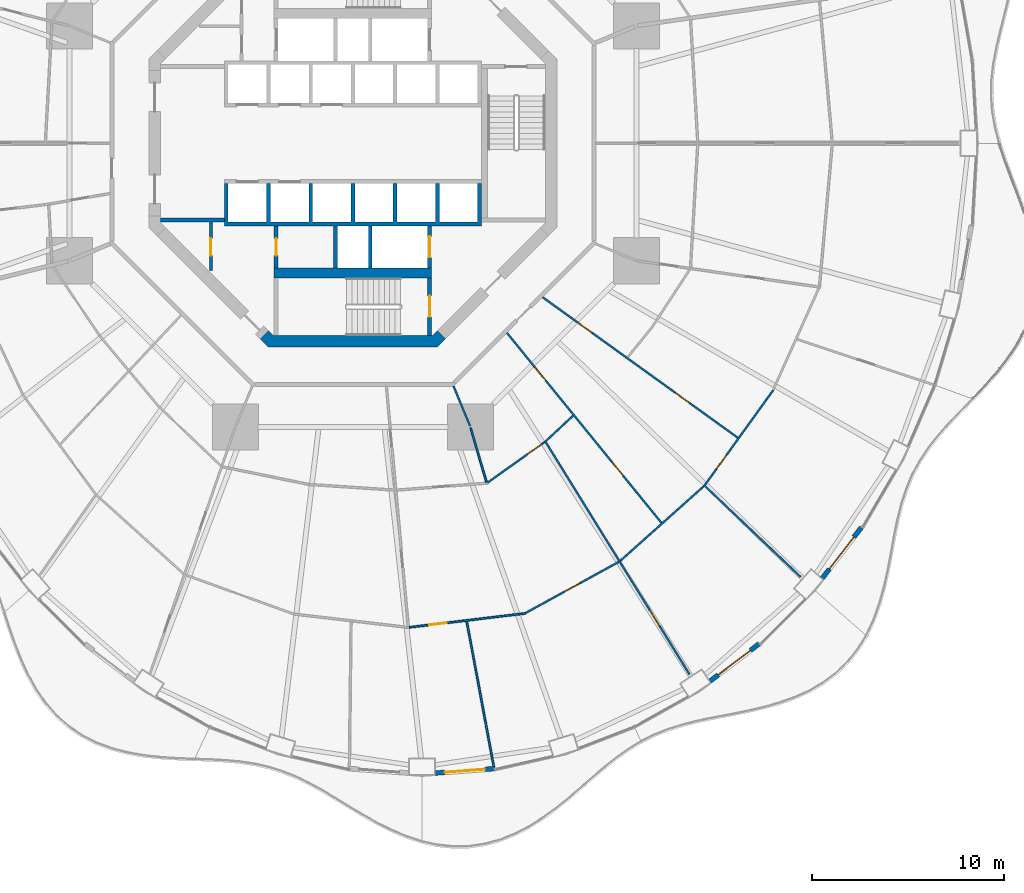
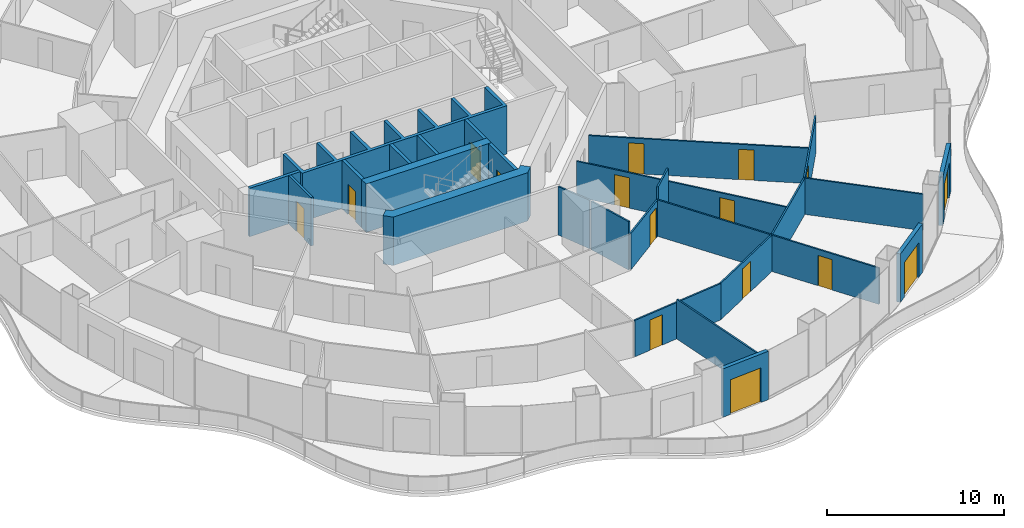
# One storey, part 15 of 22: 26 walls, 16 doors, 16 openings.
"""IFC4 building model written with IfcOpenShell, lengths in metres."""

import ifcopenshell
import ifcopenshell.guid

model = None  # the IFC model being written
_history = None  # IfcOwnerHistory: only IFC2X3 demands one
_inside = {}  # id of a spatial element -> (the spatial element, [elements in it])
_under = {}  # id of a project, library or spatial element -> (it, [spatial elements below it])
_declared = {}  # id of a project -> (the project, [libraries it declares])
_typed = {}  # id of a type object -> (the type object, [elements of that type])
_made_of = {}  # id of a material, layer set ... -> (it, [elements and type objects made of it])


def new_model(schema):
    """Start an empty IFC model of exactly this schema.

    Asked for "IFC4X3", IfcOpenShell would pick the latest addendum, in which some entities
    have other attributes; the version numbers below select the first issue.
    IFC2X3 requires an IfcOwnerHistory on every rooted entity: one is made here for all.
    """
    global model, _history
    if schema == "IFC4X3":
        model = ifcopenshell.file(schema_version=(4, 3, 0, 0))
    else:
        model = ifcopenshell.file(schema=schema)
    _inside.clear()
    _under.clear()
    _declared.clear()
    _typed.clear()
    _made_of.clear()
    _history = None
    if model.schema == "IFC2X3":
        org = make("IfcOrganization", Name="unknown")
        user = make(
            "IfcPersonAndOrganization",
            ThePerson=make("IfcPerson", FamilyName="unknown"),
            TheOrganization=org,
        )
        app = make(
            "IfcApplication",
            ApplicationDeveloper=org,
            Version="unknown",
            ApplicationFullName="unknown",
            ApplicationIdentifier="unknown",
        )
        _history = make(
            "IfcOwnerHistory",
            OwningUser=user,
            OwningApplication=app,
            ChangeAction="ADDED",
            CreationDate=0,
        )
    return model


def make(cls, **values):
    """One entity of the class cls with the attributes given. An attribute that is None is left unset."""
    return model.create_entity(
        cls, **{name: value for name, value in values.items() if value is not None}
    )


def rooted(cls, **values):
    """An entity with a GlobalId (a new one), such as an element, a storey or a relation."""
    return make(cls, GlobalId=ifcopenshell.guid.new(), OwnerHistory=_history, **values)


def si_unit(unit_type, name, prefix=None):
    """IfcSIUnit, for example si_unit("LENGTHUNIT", "METRE", prefix="MILLI")."""
    return make("IfcSIUnit", UnitType=unit_type, Prefix=prefix, Name=name)


def assignment(units):
    """IfcUnitAssignment: the units of a project."""
    return None if units is None else make("IfcUnitAssignment", Units=units)


def point(xyz):
    """IfcCartesianPoint."""
    return None if xyz is None else make("IfcCartesianPoint", Coordinates=xyz)


def direction(xyz):
    """IfcDirection."""
    return None if xyz is None else make("IfcDirection", DirectionRatios=xyz)


def frame(location, z_axis=None, x_axis=None):
    """IfcAxis2Placement3D, a coordinate frame: its origin and axes. An axis left out is left unset."""
    return make(
        "IfcAxis2Placement3D",
        Location=point(location),
        Axis=direction(z_axis),
        RefDirection=direction(x_axis),
    )


def frame_2d(location, x_axis=None):
    """IfcAxis2Placement2D, a coordinate frame in the plane: its origin and x axis."""
    return make(
        "IfcAxis2Placement2D", Location=point(location), RefDirection=direction(x_axis)
    )


def origin():
    """The frame at (0, 0, 0) with its axes left unset."""
    return frame((0.0, 0.0, 0.0))


def place(relative_to, where):
    """IfcLocalPlacement: puts the frame where relative to a parent placement (None: the world)."""
    return make(
        "IfcLocalPlacement", PlacementRelTo=relative_to, RelativePlacement=where
    )


def context(
    kind, dimensions, precision=None, world=None, true_north=None, identifier=None
):
    """IfcGeometricRepresentationContext, for example the 3D "Model" context."""
    return make(
        "IfcGeometricRepresentationContext",
        ContextIdentifier=identifier,
        ContextType=kind,
        CoordinateSpaceDimension=dimensions,
        Precision=precision,
        WorldCoordinateSystem=world,
        TrueNorth=true_north,
    )


def subcontext(parent, identifier, kind, view, scale=None):
    """IfcGeometricRepresentationSubContext, for example "Body" below "Model"."""
    return make(
        "IfcGeometricRepresentationSubContext",
        ContextIdentifier=identifier,
        ContextType=kind,
        ParentContext=parent,
        TargetScale=scale,
        TargetView=view,
    )


def project(units=None, contexts=None):
    """IfcProject with its units and contexts."""
    return rooted(
        "IfcProject",
        Name="project",
        RepresentationContexts=contexts,
        UnitsInContext=assignment(units),
    )


def spatial(cls, under=None, at=None, **own):
    """A site, building, storey or space (cls), placed at a placement, below another one or the project."""
    s = rooted(cls, ObjectPlacement=at, **own)
    if under is not None:
        _under.setdefault(under.id(), (under, []))[1].append(s)
    return s


def polyline(points):
    """IfcPolyline through the points."""
    return make("IfcPolyline", Points=[point(p) for p in points])


def profile(cls, at=None, kind="AREA", **sizes):
    """A parametric profile (cls). Its sizes go by their IFC names, for example OverallWidth=200.0."""
    return make(cls, ProfileType=kind, Position=at, **sizes)


def rectangle(**sizes):
    """IfcRectangleProfileDef."""
    return profile("IfcRectangleProfileDef", **sizes)


def outline(outer, holes=None, kind="AREA"):
    """IfcArbitraryClosedProfileDef: a profile drawn as a closed curve; with holes, ...WithVoids."""
    if holes is None:
        return make("IfcArbitraryClosedProfileDef", ProfileType=kind, OuterCurve=outer)
    return make(
        "IfcArbitraryProfileDefWithVoids",
        ProfileType=kind,
        OuterCurve=outer,
        InnerCurves=holes,
    )


def extrude(swept, where, along, depth):
    """IfcExtrudedAreaSolid: the profile swept, set in the frame where, extruded along a direction by depth."""
    return make(
        "IfcExtrudedAreaSolid",
        SweptArea=swept,
        Position=where,
        ExtrudedDirection=direction(along),
        Depth=depth,
    )


def shape(context_of_items, identifier, shape_type, items):
    """IfcShapeRepresentation: the items that make up one representation, for example the "Body"."""
    return make(
        "IfcShapeRepresentation",
        ContextOfItems=context_of_items,
        RepresentationIdentifier=identifier,
        RepresentationType=shape_type,
        Items=items,
    )


def material(Name=None, Category=None):
    """IfcMaterial."""
    return make("IfcMaterial", Name=Name, Category=Category)


def layer(
    of_material, thickness, ventilated=None, Name=None, Category=None, Priority=None
):
    """IfcMaterialLayer: one layer of a wall or slab, of a material (None: an air gap)."""
    return make(
        "IfcMaterialLayer",
        Material=of_material,
        LayerThickness=thickness,
        IsVentilated=ventilated,
        Name=Name,
        Category=Category,
        Priority=Priority,
    )


def layer_set(layers, Name=None):
    """IfcMaterialLayerSet."""
    return make("IfcMaterialLayerSet", MaterialLayers=layers, LayerSetName=Name)


def made_of(thing, what):
    """Note that an element or type object is made of a material, layer set ...; save() writes the relation."""
    if what is not None:
        _made_of.setdefault(what.id(), (what, []))[1].append(thing)
    return thing


def type_object(cls, material=None, **own):
    """A type object (cls), such as IfcWallType, which elements share."""
    return made_of(rooted(cls, **own), material)


def element(
    cls,
    number,
    at=None,
    inside=None,
    cuts=None,
    type_object=None,
    material=None,
    context=None,
    identifier="Body",
    shape_type=None,
    held_by="IfcProductDefinitionShape",
    body=None,
    shapes=None,
    **own,
):
    """One element of the class cls, such as IfcWall. Its Tag is "e" and its number.

    at: its placement. inside: the storey or other place that contains it. cuts: it is an
    opening in that element (IfcRelVoidsElement). A single representation is given by context,
    identifier, shape_type and body (its items); several are given by shapes. held_by: the class
    of the entity that holds the representations. save() writes the other relations.
    """
    e = rooted(cls, Tag="e%d" % number, ObjectPlacement=at, **own)
    if body is not None:
        shapes = [shape(context, identifier, shape_type, body)]
    if shapes is not None:
        e.Representation = make(held_by, Representations=shapes)
    if inside is not None:
        _inside.setdefault(inside.id(), (inside, []))[1].append(e)
    if cuts is not None:
        rooted(
            "IfcRelVoidsElement", RelatingBuildingElement=cuts, RelatedOpeningElement=e
        )
    if type_object is not None:
        _typed.setdefault(type_object.id(), (type_object, []))[1].append(e)
    return made_of(e, material)


def fill(opening, filler):
    """IfcRelFillsElement: the door or window that sits in an opening."""
    return rooted(
        "IfcRelFillsElement",
        RelatingOpeningElement=opening,
        RelatedBuildingElement=filler,
    )


def aggregate(whole, parts):
    """IfcRelAggregates: a whole, such as a stair, and the parts it consists of."""
    return rooted("IfcRelAggregates", RelatingObject=whole, RelatedObjects=parts)


def save(model, path):
    """Write the relations noted so far, then the file.

    IfcRelAggregates (storeys below a building ...), IfcRelContainedInSpatialStructure (elements
    in a storey), IfcRelDefinesByType, IfcRelAssociatesMaterial and IfcRelDeclares: one each for
    every whole, place, type object, material and project.
    """
    for whole, parts in _under.values():
        aggregate(whole, parts)
    for where, things in _inside.values():
        rooted(
            "IfcRelContainedInSpatialStructure",
            RelatedElements=things,
            RelatingStructure=where,
        )
    for kind, things in _typed.values():
        rooted("IfcRelDefinesByType", RelatedObjects=things, RelatingType=kind)
    for what, things in _made_of.values():
        rooted("IfcRelAssociatesMaterial", RelatedObjects=things, RelatingMaterial=what)
    for by, libraries in _declared.values():
        rooted("IfcRelDeclares", RelatingContext=by, RelatedDefinitions=libraries)
    model.write(path)


model = new_model("IFC4")

# Units and contexts
model_context = context("Model", 3, precision=1e-05, world=origin(), true_north=direction((0.0, 1.0)))
body_context = subcontext(model_context, "Body", "Model", "MODEL_VIEW")
ifc_project = project(units=[si_unit("LENGTHUNIT", "METRE"), si_unit("AREAUNIT", "SQUARE_METRE"), si_unit("VOLUMEUNIT", "CUBIC_METRE"), si_unit("PLANEANGLEUNIT", "RADIAN"), si_unit("MASSUNIT", "GRAM", prefix="KILO")], contexts=[model_context])

# Site, building, storey
site_placement = place(None, origin())
site = spatial("IfcSite", under=ifc_project, at=site_placement, CompositionType="ELEMENT")
building_placement = place(site_placement, origin())
building = spatial("IfcBuilding", under=site, at=building_placement, Name="Nagisa Residences", CompositionType="ELEMENT")
storey_placement = place(building_placement, frame((0.0, 0.0, 64.0)))
storey = spatial("IfcBuildingStorey", under=building, at=storey_placement, Name="L15", CompositionType="ELEMENT", Elevation=64.0)

# Wall, opening, door
ifc_material_1 = material(Name="Gypsum board on steel studs", Category="steel")
ifc_layer_1 = layer(ifc_material_1, 0.10009765625)
ifc_layer_set_1 = layer_set([ifc_layer_1], Name="Apartment partition 100")
wall_type_1 = type_object("IfcWallType", Name="Apartment partition 100", PredefinedType="PARTITIONING", material=ifc_layer_set_1)
wall_1_placement = place(storey_placement, frame((2.94091796875, -25.228515625, 0.0), z_axis=(0.0, 0.0, 1.0), x_axis=(0.992836126149, 0.119484001497, 0.0)))
wall_1 = element("IfcWall", 1, at=wall_1_placement, inside=storey, type_object=wall_type_1, Name="wall:L15:u76", PredefinedType="PARTITIONING", context=body_context, shape_type="SweptSolid", body=[
    extrude(rectangle(XDim=6.109375, YDim=0.10009765625, at=frame_2d((3.0546875, 0.0))), origin(), (0.0, 0.0, 1.0), 2.514892578125),
])
opening_1_placement = place(wall_1_placement, frame((1.052490234375, 0.0, 0.0)))
opening_1 = element("IfcOpeningElement", 2, at=opening_1_placement, cuts=wall_1, Name="Opening L15-U11", PredefinedType="OPENING", context=body_context, shape_type="SweptSolid", body=[
    extrude(rectangle(XDim=0.89990234375, YDim=2.10009765625, at=frame_2d((0.449951171875, 1.050048828125))), frame((0.0, 0.06005859375, 0.0), z_axis=(0.0, -1.0, 0.0), x_axis=(1.0, 0.0, 0.0)), (0.0, 0.0, 1.0), 0.1201171875),
])
ifc_material_2 = material(Name="Timber door set", Category="wood")
door_type_1 = type_object("IfcDoorType", Name="Apartment door 900x2100", OperationType="NOTDEFINED", PredefinedType="DOOR", material=ifc_material_2)
door_1_placement = place(opening_1_placement, frame((0.89990234375, 0.0, 0.0), x_axis=(-1.0, 0.0, 0.0)))
door_1 = element("IfcDoor", 3, at=door_1_placement, inside=storey, type_object=door_type_1, Name="Door to master bedroom, Apartment 15A", OperationType="SINGLE_SWING_RIGHT", OverallHeight=2.10009765625, OverallWidth=0.89990234375, PredefinedType="DOOR", context=body_context, shape_type="SweptSolid", body=[
    extrude(rectangle(XDim=0.89990234375, YDim=2.10009765625, at=frame_2d((0.449951171875, 1.050048828125))), frame((0.0, 0.02490234375, 0.0), z_axis=(0.0, -1.0, 0.0), x_axis=(1.0, 0.0, 0.0)), (0.0, 0.0, 1.0), 0.050048828125),
])
fill(opening_1, door_1)

# Walls
wall_2_placement = place(storey_placement, frame((5.933349609375, -24.918701171875, 0.0), z_axis=(0.0, 0.0, 1.0), x_axis=(0.183018461258, -0.983109476528, 0.0)))
element("IfcWall", 4, at=wall_2_placement, inside=storey, type_object=wall_type_1, Name="wall:L15:u77", PredefinedType="PARTITIONING", context=body_context, shape_type="SweptSolid", body=[
    extrude(rectangle(XDim=7.89306640625, YDim=0.10009765625, at=frame_2d((3.946533203125, 0.0))), origin(), (0.0, 0.0, 1.0), 2.738037109375),
])
wall_3_placement = place(storey_placement, frame((5.24267578125, -12.6572265625, 0.0), z_axis=(0.0, 0.0, 1.0), x_axis=(0.382719158442, -0.923864733477, 0.0)))
element("IfcWall", 5, at=wall_3_placement, inside=storey, type_object=wall_type_1, Name="wall:L15:u78", PredefinedType="PARTITIONING", context=body_context, shape_type="SweptSolid", body=[
    extrude(rectangle(XDim=2.25, YDim=0.10009765625, at=frame_2d((1.125, 0.0))), origin(), (0.0, 0.0, 1.0), 3.35009765625),
])
wall_4_placement = place(storey_placement, frame((6.136962890625, -14.830078125, 0.0), z_axis=(0.0, 0.0, 1.0), x_axis=(0.279888967793, -0.960032377427, 0.0)))
element("IfcWall", 6, at=wall_4_placement, inside=storey, type_object=wall_type_1, Name="wall:L15:u79", PredefinedType="PARTITIONING", context=body_context, shape_type="SweptSolid", body=[
    extrude(rectangle(XDim=2.955322265625, YDim=0.10009765625, at=frame_2d((1.4775390625, 0.0))), origin(), (0.0, 0.0, 1.0), 3.35009765625),
])

# Wall, opening, door
wall_5_placement = place(storey_placement, frame((7.018798828125, -17.686279296875, 0.0), z_axis=(0.0, 0.0, 1.0), x_axis=(0.81494477814, 0.57953861699, 0.0)))
wall_5 = element("IfcWall", 7, at=wall_5_placement, inside=storey, type_object=wall_type_1, Name="wall:L15:u80", PredefinedType="PARTITIONING", context=body_context, shape_type="SweptSolid", body=[
    extrude(rectangle(XDim=3.644287109375, YDim=0.10009765625, at=frame_2d((1.822265625, 0.0))), origin(), (0.0, 0.0, 1.0), 2.514892578125),
])
opening_2_placement = place(wall_5_placement, frame((2.564453125, 0.0, 0.0)))
opening_2 = element("IfcOpeningElement", 8, at=opening_2_placement, cuts=wall_5, Name="Opening L15-U06", PredefinedType="OPENING", context=body_context, shape_type="SweptSolid", body=[
    extrude(rectangle(XDim=0.89990234375, YDim=2.10009765625, at=frame_2d((0.449951171875, 1.050048828125))), frame((0.0, 0.06005859375, 0.0), z_axis=(0.0, -1.0, 0.0), x_axis=(1.0, 0.0, 0.0)), (0.0, 0.0, 1.0), 0.1201171875),
])
door_2_placement = place(opening_2_placement, frame((0.89990234375, 0.0, 0.0), x_axis=(-1.0, 0.0, 0.0)))
door_2 = element("IfcDoor", 9, at=door_2_placement, inside=storey, type_object=door_type_1, Name="Door to dining room, Apartment 15A", OperationType="SINGLE_SWING_LEFT", OverallHeight=2.10009765625, OverallWidth=0.89990234375, PredefinedType="DOOR", context=body_context, shape_type="SweptSolid", body=[
    extrude(rectangle(XDim=0.89990234375, YDim=2.10009765625, at=frame_2d((0.449951171875, 1.050048828125))), frame((0.0, 0.02490234375, 0.0), z_axis=(0.0, -1.0, 0.0), x_axis=(1.0, 0.0, 0.0)), (0.0, 0.0, 1.0), 0.050048828125),
])
fill(opening_2, door_2)

wall_6_placement = place(storey_placement, frame((9.0009765625, -24.48046875, 0.0), z_axis=(0.0, 0.0, 1.0), x_axis=(0.876794415294, 0.480865421203, 0.0)))
wall_6 = element("IfcWall", 10, at=wall_6_placement, inside=storey, type_object=wall_type_1, Name="wall:L15:u81", PredefinedType="PARTITIONING", context=body_context, shape_type="SweptSolid", body=[
    extrude(rectangle(XDim=5.5361328125, YDim=0.10009765625, at=frame_2d((2.76806640625, 0.0))), origin(), (0.0, 0.0, 1.0), 2.514892578125),
])
opening_3_placement = place(wall_6_placement, frame((2.318115234375, 0.0, 0.0)))
opening_3 = element("IfcOpeningElement", 11, at=opening_3_placement, cuts=wall_6, Name="Opening L15-U12", PredefinedType="OPENING", context=body_context, shape_type="SweptSolid", body=[
    extrude(rectangle(XDim=0.89990234375, YDim=2.10009765625, at=frame_2d((0.449951171875, 1.050048828125))), frame((0.0, 0.06005859375, 0.0), z_axis=(0.0, -1.0, 0.0), x_axis=(1.0, 0.0, 0.0)), (0.0, 0.0, 1.0), 0.1201171875),
])
door_3_placement = place(opening_3_placement, frame((0.89990234375, 0.0, 0.0), x_axis=(-1.0, 0.0, 0.0)))
door_3 = element("IfcDoor", 12, at=door_3_placement, inside=storey, type_object=door_type_1, Name="Door to family room, Apartment 15A", OperationType="SINGLE_SWING_LEFT", OverallHeight=2.10009765625, OverallWidth=0.89990234375, PredefinedType="DOOR", context=body_context, shape_type="SweptSolid", body=[
    extrude(rectangle(XDim=0.89990234375, YDim=2.10009765625, at=frame_2d((0.449951171875, 1.050048828125))), frame((0.0, 0.02490234375, 0.0), z_axis=(0.0, -1.0, 0.0), x_axis=(1.0, 0.0, 0.0)), (0.0, 0.0, 1.0), 0.050048828125),
])
fill(opening_3, door_3)

wall_7_placement = place(storey_placement, frame((10.003173828125, -15.502685546875, 0.0), z_axis=(0.0, 0.0, 1.0), x_axis=(0.526446106164, -0.850208502254, 0.0)))
wall_7 = element("IfcWall", 13, at=wall_7_placement, inside=storey, type_object=wall_type_1, Name="wall:L15:u82", PredefinedType="PARTITIONING", context=body_context, shape_type="SweptSolid", body=[
    extrude(rectangle(XDim=14.330322265625, YDim=0.10009765625, at=frame_2d((7.1650390625, 0.0))), origin(), (0.0, 0.0, 1.0), 2.514892578125),
])
opening_4_placement = place(wall_7_placement, frame((10.4150390625, 0.0, 0.0)))
opening_4 = element("IfcOpeningElement", 14, at=opening_4_placement, cuts=wall_7, Name="Opening L15-U13", PredefinedType="OPENING", context=body_context, shape_type="SweptSolid", body=[
    extrude(rectangle(XDim=0.89990234375, YDim=2.10009765625, at=frame_2d((0.449951171875, 1.050048828125))), frame((0.0, 0.06005859375, 0.0), z_axis=(0.0, -1.0, 0.0), x_axis=(1.0, 0.0, 0.0)), (0.0, 0.0, 1.0), 0.1201171875),
])
door_4_placement = place(opening_4_placement, origin())
door_4 = element("IfcDoor", 15, at=door_4_placement, inside=storey, type_object=door_type_1, Name="Door to master bedroom, Apartment 15A", OperationType="SINGLE_SWING_LEFT", OverallHeight=2.10009765625, OverallWidth=0.89990234375, PredefinedType="DOOR", context=body_context, shape_type="SweptSolid", body=[
    extrude(rectangle(XDim=0.89990234375, YDim=2.10009765625, at=frame_2d((0.449951171875, 1.050048828125))), frame((0.0, 0.02490234375, 0.0), z_axis=(0.0, -1.0, 0.0), x_axis=(1.0, 0.0, 0.0)), (0.0, 0.0, 1.0), 0.050048828125),
])
fill(opening_4, door_4)

# Walls
wall_8_placement = place(storey_placement, frame((10.066162109375, -15.51123046875, 0.0), z_axis=(0.0, 0.0, 1.0), x_axis=(0.73201609945, 0.681287333029, 0.0)))
element("IfcWall", 16, at=wall_8_placement, inside=storey, type_object=wall_type_1, Name="wall:L15:u83", PredefinedType="PARTITIONING", context=body_context, shape_type="SweptSolid", body=[
    extrude(rectangle(XDim=1.925048828125, YDim=0.10009765625, at=frame_2d((0.96240234375, 0.0))), origin(), (0.0, 0.0, 1.0), 3.35009765625),
])
wall_9_placement = place(storey_placement, frame((13.936279296875, -21.760986328125, 0.0), z_axis=(0.0, 0.0, 1.0), x_axis=(0.745806142791, 0.666163041136, 0.0)))
element("IfcWall", 17, at=wall_9_placement, inside=storey, type_object=wall_type_1, Name="wall:L15:u84", PredefinedType="PARTITIONING", context=body_context, shape_type="SweptSolid", body=[
    extrude(rectangle(XDim=5.83056640625, YDim=0.10009765625, at=frame_2d((2.915283203125, 0.0))), origin(), (0.0, 0.0, 1.0), 2.514892578125),
])

# Wall, openings, doors
wall_10_placement = place(storey_placement, frame((8.027587890625, -9.88232421875, 0.0), z_axis=(0.0, 0.0, 1.0), x_axis=(0.631035554955, -0.77575390968, 0.0)))
wall_10 = element("IfcWall", 18, at=wall_10_placement, inside=storey, type_object=wall_type_1, Name="wall:L15:u85", PredefinedType="PARTITIONING", context=body_context, shape_type="SweptSolid", body=[
    extrude(rectangle(XDim=12.7587890625, YDim=0.10009765625, at=frame_2d((6.37939453125, 0.0))), origin(), (0.0, 0.0, 1.0), 2.447021484375),
])
opening_5_placement = place(wall_10_placement, frame((2.310791015625, 0.0, 0.0)))
opening_5 = element("IfcOpeningElement", 19, at=opening_5_placement, cuts=wall_10, Name="Opening L15-U02", PredefinedType="OPENING", context=body_context, shape_type="SweptSolid", body=[
    extrude(rectangle(XDim=0.89990234375, YDim=2.10009765625, at=frame_2d((0.449951171875, 1.050048828125))), frame((0.0, 0.06005859375, 0.0), z_axis=(0.0, -1.0, 0.0), x_axis=(1.0, 0.0, 0.0)), (0.0, 0.0, 1.0), 0.1201171875),
])
opening_6_placement = place(wall_10_placement, frame((8.690185546875, 0.0, 0.0)))
opening_6 = element("IfcOpeningElement", 20, at=opening_6_placement, cuts=wall_10, Name="Opening L15-U07", PredefinedType="OPENING", context=body_context, shape_type="SweptSolid", body=[
    extrude(rectangle(XDim=0.89990234375, YDim=2.10009765625, at=frame_2d((0.449951171875, 1.050048828125))), frame((0.0, 0.06005859375, 0.0), z_axis=(0.0, -1.0, 0.0), x_axis=(1.0, 0.0, 0.0)), (0.0, 0.0, 1.0), 0.1201171875),
])
door_5_placement = place(opening_5_placement, frame((0.89990234375, 0.0, 0.0), x_axis=(-1.0, 0.0, 0.0)))
door_5 = element("IfcDoor", 21, at=door_5_placement, inside=storey, type_object=door_type_1, Name="Door to laundry, Apartment 15A", OperationType="SINGLE_SWING_LEFT", OverallHeight=2.10009765625, OverallWidth=0.89990234375, PredefinedType="DOOR", context=body_context, shape_type="SweptSolid", body=[
    extrude(rectangle(XDim=0.89990234375, YDim=2.10009765625, at=frame_2d((0.449951171875, 1.050048828125))), frame((0.0, 0.02490234375, 0.0), z_axis=(0.0, -1.0, 0.0), x_axis=(1.0, 0.0, 0.0)), (0.0, 0.0, 1.0), 0.050048828125),
])
fill(opening_5, door_5)
door_6_placement = place(opening_6_placement, frame((0.89990234375, 0.0, 0.0), x_axis=(-1.0, 0.0, 0.0)))
door_6 = element("IfcDoor", 22, at=door_6_placement, inside=storey, type_object=door_type_1, Name="Door to family bathroom, Apartment 15A", OperationType="SINGLE_SWING_RIGHT", OverallHeight=2.10009765625, OverallWidth=0.89990234375, PredefinedType="DOOR", context=body_context, shape_type="SweptSolid", body=[
    extrude(rectangle(XDim=0.89990234375, YDim=2.10009765625, at=frame_2d((0.449951171875, 1.050048828125))), frame((0.0, 0.02490234375, 0.0), z_axis=(0.0, -1.0, 0.0), x_axis=(1.0, 0.0, 0.0)), (0.0, 0.0, 1.0), 0.050048828125),
])
fill(opening_6, door_6)

# Wall
wall_11_placement = place(storey_placement, frame((18.28564453125, -17.80908203125, 0.0), z_axis=(0.0, 0.0, 1.0), x_axis=(0.725242309581, -0.688493712676, 0.0)))
element("IfcWall", 23, at=wall_11_placement, inside=storey, type_object=wall_type_1, Name="wall:L15:u86", PredefinedType="PARTITIONING", context=body_context, shape_type="SweptSolid", body=[
    extrude(rectangle(XDim=6.975830078125, YDim=0.10009765625, at=frame_2d((3.48779296875, 0.0))), origin(), (0.0, 0.0, 1.0), 2.514892578125),
])

# Wall, opening, door
wall_12_placement = place(storey_placement, frame((18.35107421875, -17.802978515625, 0.0), z_axis=(0.0, 0.0, 1.0), x_axis=(0.584558392935, 0.811351640936, 0.0)))
wall_12 = element("IfcWall", 24, at=wall_12_placement, inside=storey, type_object=wall_type_1, Name="wall:L15:u87", PredefinedType="PARTITIONING", context=body_context, shape_type="SweptSolid", body=[
    extrude(rectangle(XDim=6.084228515625, YDim=0.10009765625, at=frame_2d((3.0419921875, 0.0))), origin(), (0.0, 0.0, 1.0), 2.514892578125),
])
opening_7_placement = place(wall_12_placement, frame((1.046142578125, 0.0, 0.0)))
opening_7 = element("IfcOpeningElement", 25, at=opening_7_placement, cuts=wall_12, Name="Opening L15-U14", PredefinedType="OPENING", context=body_context, shape_type="SweptSolid", body=[
    extrude(rectangle(XDim=0.89990234375, YDim=2.10009765625, at=frame_2d((0.449951171875, 1.050048828125))), frame((0.0, 0.06005859375, 0.0), z_axis=(0.0, -1.0, 0.0), x_axis=(1.0, 0.0, 0.0)), (0.0, 0.0, 1.0), 0.1201171875),
])
door_7_placement = place(opening_7_placement, frame((0.89990234375, 0.0, 0.0), x_axis=(-1.0, 0.0, 0.0)))
door_7 = element("IfcDoor", 26, at=door_7_placement, inside=storey, type_object=door_type_1, Name="Door to living room, Apartment 15A", OperationType="SINGLE_SWING_LEFT", OverallHeight=2.10009765625, OverallWidth=0.89990234375, PredefinedType="DOOR", context=body_context, shape_type="SweptSolid", body=[
    extrude(rectangle(XDim=0.89990234375, YDim=2.10009765625, at=frame_2d((0.449951171875, 1.050048828125))), frame((0.0, 0.02490234375, 0.0), z_axis=(0.0, -1.0, 0.0), x_axis=(1.0, 0.0, 0.0)), (0.0, 0.0, 1.0), 0.050048828125),
])
fill(opening_7, door_7)

# Wall, openings, doors
wall_13_placement = place(storey_placement, frame((9.8857421875, -8.02294921875, 0.0), z_axis=(0.0, 0.0, 1.0), x_axis=(0.811615973871, -0.58419133078, 0.0)))
wall_13 = element("IfcWall", 27, at=wall_13_placement, inside=storey, type_object=wall_type_1, Name="wall:L15:u88", PredefinedType="PARTITIONING", context=body_context, shape_type="SweptSolid", body=[
    extrude(rectangle(XDim=12.53515625, YDim=0.10009765625, at=frame_2d((6.267578125, 0.0))), origin(), (0.0, 0.0, 1.0), 2.447021484375),
])
opening_8_placement = place(wall_13_placement, frame((2.26220703125, 0.0, 0.0)))
opening_8 = element("IfcOpeningElement", 28, at=opening_8_placement, cuts=wall_13, Name="Opening L15-U03", PredefinedType="OPENING", context=body_context, shape_type="SweptSolid", body=[
    extrude(rectangle(XDim=0.89990234375, YDim=2.10009765625, at=frame_2d((0.449951171875, 1.050048828125))), frame((0.0, 0.06005859375, 0.0), z_axis=(0.0, -1.0, 0.0), x_axis=(1.0, 0.0, 0.0)), (0.0, 0.0, 1.0), 0.1201171875),
])
opening_9_placement = place(wall_13_placement, frame((8.52978515625, 0.0, 0.0)))
opening_9 = element("IfcOpeningElement", 29, at=opening_9_placement, cuts=wall_13, Name="Opening L15-U08", PredefinedType="OPENING", context=body_context, shape_type="SweptSolid", body=[
    extrude(rectangle(XDim=0.89990234375, YDim=2.10009765625, at=frame_2d((0.449951171875, 1.050048828125))), frame((0.0, 0.06005859375, 0.0), z_axis=(0.0, -1.0, 0.0), x_axis=(1.0, 0.0, 0.0)), (0.0, 0.0, 1.0), 0.1201171875),
])
door_8_placement = place(opening_8_placement, origin())
door_8 = element("IfcDoor", 30, at=door_8_placement, inside=storey, type_object=door_type_1, Name="Door to laundry, Apartment 15A", OperationType="SINGLE_SWING_LEFT", OverallHeight=2.10009765625, OverallWidth=0.89990234375, PredefinedType="DOOR", context=body_context, shape_type="SweptSolid", body=[
    extrude(rectangle(XDim=0.89990234375, YDim=2.10009765625, at=frame_2d((0.449951171875, 1.050048828125))), frame((0.0, 0.02490234375, 0.0), z_axis=(0.0, -1.0, 0.0), x_axis=(1.0, 0.0, 0.0)), (0.0, 0.0, 1.0), 0.050048828125),
])
fill(opening_8, door_8)
door_9_placement = place(opening_9_placement, origin())
door_9 = element("IfcDoor", 31, at=door_9_placement, inside=storey, type_object=door_type_1, Name="Door to dining room, Apartment 15A", OperationType="SINGLE_SWING_RIGHT", OverallHeight=2.10009765625, OverallWidth=0.89990234375, PredefinedType="DOOR", context=body_context, shape_type="SweptSolid", body=[
    extrude(rectangle(XDim=0.89990234375, YDim=2.10009765625, at=frame_2d((0.449951171875, 1.050048828125))), frame((0.0, 0.02490234375, 0.0), z_axis=(0.0, -1.0, 0.0), x_axis=(1.0, 0.0, 0.0)), (0.0, 0.0, 1.0), 0.050048828125),
])
fill(opening_9, door_9)

# Wall, opening, door
ifc_material_3 = material(Name="Precast concrete C40/50", Category="concrete")
ifc_layer_2 = layer(ifc_material_3, 0.25)
ifc_layer_set_2 = layer_set([ifc_layer_2], Name="BALCONY DOOR WALL 250")
wall_type_2 = type_object("IfcWallType", Name="BALCONY DOOR WALL 250", PredefinedType="SOLIDWALL", material=ifc_layer_set_2)
wall_14_placement = place(storey_placement, frame((7.3759765625, -32.593017578125, 0.0), z_axis=(0.0, 0.0, 1.0), x_axis=(-0.997230834878, -0.074368420505, 0.0)))
wall_14 = element("IfcWall", 32, at=wall_14_placement, inside=storey, type_object=wall_type_2, Name="wall:L15:bay36", PredefinedType="SOLIDWALL", context=body_context, shape_type="SweptSolid", body=[
    extrude(rectangle(XDim=3.095703125, YDim=0.25, at=frame_2d((1.5478515625, 0.0))), origin(), (0.0, 0.0, 1.0), 3.35009765625),
])
opening_10_placement = place(wall_14_placement, frame((0.497802734375, 0.0, 0.0)))
opening_10 = element("IfcOpeningElement", 33, at=opening_10_placement, cuts=wall_14, Name="Opening BD-L15-13", PredefinedType="OPENING", context=body_context, shape_type="SweptSolid", body=[
    extrude(rectangle(XDim=2.10009765625, YDim=2.39990234375, at=frame_2d((1.050048828125, 1.199951171875))), frame((0.0, 0.135009765625, 0.0), z_axis=(0.0, -1.0, 0.0), x_axis=(1.0, 0.0, 0.0)), (0.0, 0.0, 1.0), 0.27001953125),
])
ifc_material_4 = material(Name="Aluminium and clear glass", Category="aluminium")
door_type_2 = type_object("IfcDoorType", Name="BALCONY SLIDING DOOR 2100x2400", OperationType="SLIDING_TO_LEFT", PredefinedType="DOOR", material=ifc_material_4)
door_10_placement = place(opening_10_placement, origin())
door_10 = element("IfcDoor", 34, at=door_10_placement, inside=storey, type_object=door_type_2, Name="door:L15:bay36", OperationType="SLIDING_TO_LEFT", OverallHeight=2.39990234375, OverallWidth=2.10009765625, PredefinedType="DOOR", context=body_context, shape_type="SweptSolid", body=[
    extrude(rectangle(XDim=2.10009765625, YDim=2.39990234375, at=frame_2d((1.050048828125, 1.199951171875))), frame((0.0, 0.02490234375, 0.0), z_axis=(0.0, -1.0, 0.0), x_axis=(1.0, 0.0, 0.0)), (0.0, 0.0, 1.0), 0.050048828125),
])
fill(opening_10, door_10)

wall_15_placement = place(storey_placement, frame((21.178466796875, -26.0810546875, 0.0), z_axis=(0.0, 0.0, 1.0), x_axis=(-0.796022293214, -0.605267303517, 0.0)))
wall_15 = element("IfcWall", 35, at=wall_15_placement, inside=storey, type_object=wall_type_2, Name="wall:L15:bay40", PredefinedType="SOLIDWALL", context=body_context, shape_type="SweptSolid", body=[
    extrude(rectangle(XDim=3.262451171875, YDim=0.25, at=frame_2d((1.63134765625, 0.0))), origin(), (0.0, 0.0, 1.0), 3.35009765625),
])
opening_11_placement = place(wall_15_placement, frame((0.5810546875, 0.0, 0.0)))
opening_11 = element("IfcOpeningElement", 36, at=opening_11_placement, cuts=wall_15, Name="Opening BD-L15-14", PredefinedType="OPENING", context=body_context, shape_type="SweptSolid", body=[
    extrude(rectangle(XDim=2.10009765625, YDim=2.39990234375, at=frame_2d((1.050048828125, 1.199951171875))), frame((0.0, 0.135009765625, 0.0), z_axis=(0.0, -1.0, 0.0), x_axis=(1.0, 0.0, 0.0)), (0.0, 0.0, 1.0), 0.27001953125),
])
door_11_placement = place(opening_11_placement, origin())
door_11 = element("IfcDoor", 37, at=door_11_placement, inside=storey, type_object=door_type_2, Name="door:L15:bay40", OperationType="SLIDING_TO_LEFT", OverallHeight=2.39990234375, OverallWidth=2.10009765625, PredefinedType="DOOR", context=body_context, shape_type="SweptSolid", body=[
    extrude(rectangle(XDim=2.10009765625, YDim=2.39990234375, at=frame_2d((1.050048828125, 1.199951171875))), frame((0.0, 0.02490234375, 0.0), z_axis=(0.0, -1.0, 0.0), x_axis=(1.0, 0.0, 0.0)), (0.0, 0.0, 1.0), 0.050048828125),
])
fill(opening_11, door_11)

wall_16_placement = place(storey_placement, frame((26.50830078125, -20.012939453125, 0.0), z_axis=(0.0, 0.0, 1.0), x_axis=(-0.610457147657, -0.792049285635, 0.0)))
wall_16 = element("IfcWall", 38, at=wall_16_placement, inside=storey, type_object=wall_type_2, Name="wall:L15:bay42", PredefinedType="SOLIDWALL", context=body_context, shape_type="SweptSolid", body=[
    extrude(rectangle(XDim=3.3974609375, YDim=0.25, at=frame_2d((1.69873046875, 0.0))), origin(), (0.0, 0.0, 1.0), 3.35009765625),
])
opening_12_placement = place(wall_16_placement, frame((0.648681640625, 0.0, 0.0)))
opening_12 = element("IfcOpeningElement", 39, at=opening_12_placement, cuts=wall_16, Name="Opening BD-L15-15", PredefinedType="OPENING", context=body_context, shape_type="SweptSolid", body=[
    extrude(rectangle(XDim=2.10009765625, YDim=2.39990234375, at=frame_2d((1.050048828125, 1.199951171875))), frame((0.0, 0.135009765625, 0.0), z_axis=(0.0, -1.0, 0.0), x_axis=(1.0, 0.0, 0.0)), (0.0, 0.0, 1.0), 0.27001953125),
])
door_12_placement = place(opening_12_placement, origin())
door_12 = element("IfcDoor", 40, at=door_12_placement, inside=storey, type_object=door_type_2, Name="door:L15:bay42", OperationType="SLIDING_TO_LEFT", OverallHeight=2.39990234375, OverallWidth=2.10009765625, PredefinedType="DOOR", context=body_context, shape_type="SweptSolid", body=[
    extrude(rectangle(XDim=2.10009765625, YDim=2.39990234375, at=frame_2d((1.050048828125, 1.199951171875))), frame((0.0, 0.02490234375, 0.0), z_axis=(0.0, -1.0, 0.0), x_axis=(1.0, 0.0, 0.0)), (0.0, 0.0, 1.0), 0.050048828125),
])
fill(opening_12, door_12)

ifc_material_5 = material(Name="Gypsum board on steel studs", Category="steel")
ifc_layer_3 = layer(ifc_material_5, 0.14990234375)
ifc_layer_set_3 = layer_set([ifc_layer_3], Name="Core partition 150")
wall_type_3 = type_object("IfcWallType", Name="Core partition 150", PredefinedType="PARTITIONING", material=ifc_layer_set_3)
wall_17_placement = place(storey_placement, frame((-7.39990234375, -6.626953125, 0.0), z_axis=(0.0, 0.0, 1.0), x_axis=(0.0, 1.0, 0.0)))
wall_17 = element("IfcWall", 41, at=wall_17_placement, inside=storey, type_object=wall_type_3, Name="wall:L15:SWp", PredefinedType="PARTITIONING", context=body_context, shape_type="SweptSolid", body=[
    extrude(rectangle(XDim=2.52685546875, YDim=0.14990234375, at=frame_2d((1.263427734375, 0.0))), origin(), (0.0, 0.0, 1.0), 3.35009765625),
])
opening_13_placement = place(wall_17_placement, frame((0.77587890625, 0.0, 0.0)))
opening_13 = element("IfcOpeningElement", 42, at=opening_13_placement, cuts=wall_17, Name="Opening L15-C14", PredefinedType="OPENING", context=body_context, shape_type="SweptSolid", body=[
    extrude(rectangle(XDim=0.89990234375, YDim=2.10009765625, at=frame_2d((0.449951171875, 1.050048828125))), frame((0.0, 0.0849609375, 0.0), z_axis=(0.0, -1.0, 0.0), x_axis=(1.0, 0.0, 0.0)), (0.0, 0.0, 1.0), 0.169921875),
])
ifc_material_6 = material(Name="Steel fire door", Category="steel")
door_type_3 = type_object("IfcDoorType", Name="Fire door EI30 900x2100 single swing", OperationType="NOTDEFINED", PredefinedType="DOOR", material=ifc_material_6)
door_13_placement = place(opening_13_placement, origin())
door_13 = element("IfcDoor", 43, at=door_13_placement, inside=storey, type_object=door_type_3, Name="Telecom room door L15", OperationType="SINGLE_SWING_LEFT", OverallHeight=2.10009765625, OverallWidth=0.89990234375, PredefinedType="DOOR", context=body_context, shape_type="SweptSolid", body=[
    extrude(rectangle(XDim=0.89990234375, YDim=2.10009765625, at=frame_2d((0.449951171875, 1.050048828125))), frame((0.0, 0.02490234375, 0.0), z_axis=(0.0, -1.0, 0.0), x_axis=(1.0, 0.0, 0.0)), (0.0, 0.0, 1.0), 0.050048828125),
])
fill(opening_13, door_13)

# Walls
ifc_material_7 = material(Name="Gypsum board on steel studs", Category="steel")
ifc_layer_4 = layer(ifc_material_7, 0.199951171875)
ifc_layer_set_4 = layer_set([ifc_layer_4], Name="Core partition 200")
wall_type_4 = type_object("IfcWallType", Name="Core partition 200", PredefinedType="PARTITIONING", material=ifc_layer_set_4)
wall_18_placement = place(storey_placement, frame((-10.024658203125, -4.0, 0.0), z_axis=(0.0, 0.0, 1.0), x_axis=(1.0, 0.0, 0.0)))
element("IfcWall", 44, at=wall_18_placement, inside=storey, type_object=wall_type_4, Name="wall:L15:PSW", PredefinedType="PARTITIONING", context=body_context, shape_type="SweptSolid", body=[
    extrude(rectangle(XDim=3.32470703125, YDim=0.199951171875, at=frame_2d((1.662353515625, 0.0))), origin(), (0.0, 0.0, 1.0), 3.35009765625),
])
ifc_material_8 = material(Name="Concrete C60", Category="concrete")
ifc_layer_5 = layer(ifc_material_8, 0.60009765625)
ifc_layer_set_5 = layer_set([ifc_layer_5], Name="Core shear wall 600")
wall_type_5 = type_object("IfcWallType", Name="Core shear wall 600", PredefinedType="SHEAR", material=ifc_layer_set_5)
wall_19_placement = place(storey_placement, origin())
element("IfcWall", 45, at=wall_19_placement, inside=storey, type_object=wall_type_5, Name="wall:L15:core:flat6", PredefinedType="SHEAR", context=body_context, shape_type="SweptSolid", body=[
    extrude(outline(polyline([(-4.15234375, -10.024658203125), (4.15234375, -10.024658203125), (4.40087890625, -9.776123046875), (4.8251953125, -10.200439453125), (4.40087890625, -10.62451171875), (-4.40087890625, -10.62451171875), (-4.8251953125, -10.200439453125), (-4.40087890625, -9.776123046875), (-4.15234375, -10.024658203125)])), origin(), (0.0, 0.0, 1.0), 3.35009765625),
])

# Wall, opening, door
ifc_material_9 = material(Name="Concrete C60", Category="concrete")
ifc_layer_6 = layer(ifc_material_9, 0.199951171875)
ifc_layer_set_6 = layer_set([ifc_layer_6], Name="Lift shaft wall 200")
wall_type_6 = type_object("IfcWallType", Name="Lift shaft wall 200", PredefinedType="SOLIDWALL", material=ifc_layer_set_6)
wall_20_placement = place(storey_placement, frame((4.0, -6.5, 0.0), z_axis=(0.0, 0.0, 1.0), x_axis=(0.0, 1.0, 0.0)))
wall_20 = element("IfcWall", 46, at=wall_20_placement, inside=storey, type_object=wall_type_6, Name="wall:L15:Sb3", PredefinedType="SOLIDWALL", context=body_context, shape_type="SweptSolid", body=[
    extrude(rectangle(XDim=2.199951171875, YDim=0.199951171875, at=frame_2d((1.10009765625, 0.0))), origin(), (0.0, 0.0, 1.0), 3.35009765625),
])
opening_14_placement = place(wall_20_placement, frame((0.550048828125, 0.0, 0.0)))
opening_14 = element("IfcOpeningElement", 47, at=opening_14_placement, cuts=wall_20, Name="Opening L15-C07", PredefinedType="OPENING", context=body_context, shape_type="SweptSolid", body=[
    extrude(rectangle(XDim=1.10009765625, YDim=2.10009765625, at=frame_2d((0.550048828125, 1.050048828125))), frame((0.0, 0.10986328125, 0.0), z_axis=(0.0, -1.0, 0.0), x_axis=(1.0, 0.0, 0.0)), (0.0, 0.0, 1.0), 0.219970703125),
])
ifc_material_10 = material(Name="Stainless steel", Category="steel")
door_type_4 = type_object("IfcDoorType", Name="Lift landing door 1100x2100", OperationType="DOUBLE_DOOR_SLIDING", PredefinedType="DOOR", material=ifc_material_10)
door_14_placement = place(opening_14_placement, origin())
door_14 = element("IfcDoor", 48, at=door_14_placement, inside=storey, type_object=door_type_4, Name="Landing door FL2 L15", OperationType="DOUBLE_DOOR_SLIDING", OverallHeight=2.10009765625, OverallWidth=1.10009765625, PredefinedType="DOOR", context=body_context, shape_type="SweptSolid", body=[
    extrude(rectangle(XDim=1.10009765625, YDim=2.10009765625, at=frame_2d((0.550048828125, 1.050048828125))), frame((0.0, 0.02490234375, 0.0), z_axis=(0.0, -1.0, 0.0), x_axis=(1.0, 0.0, 0.0)), (0.0, 0.0, 1.0), 0.050048828125),
])
fill(opening_14, door_14)

wall_21_placement = place(storey_placement, frame((-4.0, -6.5, 0.0), z_axis=(0.0, 0.0, 1.0), x_axis=(0.0, 1.0, 0.0)))
wall_21 = element("IfcWall", 49, at=wall_21_placement, inside=storey, type_object=wall_type_6, Name="wall:L15:Sb4", PredefinedType="SOLIDWALL", context=body_context, shape_type="SweptSolid", body=[
    extrude(rectangle(XDim=2.199951171875, YDim=0.199951171875, at=frame_2d((1.10009765625, 0.0))), origin(), (0.0, 0.0, 1.0), 3.35009765625),
])
opening_15_placement = place(wall_21_placement, frame((0.64990234375, 0.0, 0.0)))
opening_15 = element("IfcOpeningElement", 50, at=opening_15_placement, cuts=wall_21, Name="Opening L15-C15", PredefinedType="OPENING", context=body_context, shape_type="SweptSolid", body=[
    extrude(rectangle(XDim=0.89990234375, YDim=2.10009765625, at=frame_2d((0.449951171875, 1.050048828125))), frame((0.0, 0.10986328125, 0.0), z_axis=(0.0, -1.0, 0.0), x_axis=(1.0, 0.0, 0.0)), (0.0, 0.0, 1.0), 0.219970703125),
])
door_15_placement = place(opening_15_placement, frame((0.89990234375, 0.0, 0.0), x_axis=(-1.0, 0.0, 0.0)))
door_15 = element("IfcDoor", 51, at=door_15_placement, inside=storey, type_object=door_type_3, Name="Refuse room door L15", OperationType="SINGLE_SWING_RIGHT", OverallHeight=2.10009765625, OverallWidth=0.89990234375, PredefinedType="DOOR", context=body_context, shape_type="SweptSolid", body=[
    extrude(rectangle(XDim=0.89990234375, YDim=2.10009765625, at=frame_2d((0.449951171875, 1.050048828125))), frame((0.0, 0.02490234375, 0.0), z_axis=(0.0, -1.0, 0.0), x_axis=(1.0, 0.0, 0.0)), (0.0, 0.0, 1.0), 0.050048828125),
])
fill(opening_15, door_15)

# Walls
for number, where, z_axis, x_axis, name in (
    (52, (-0.89990234375, -6.5, 0.0), (0.0, 0.0, 1.0), (0.0, 1.0, 0.0), "wall:L15:Sb1"),
    (53, (0.89990234375, -6.5, 0.0), (0.0, 0.0, 1.0), (0.0, 1.0, 0.0), "wall:L15:Sb2"),
):
    element("IfcWall", number, at=place(storey_placement, frame(where, z_axis=z_axis, x_axis=x_axis)), inside=storey, type_object=wall_type_6, Name=name, PredefinedType="SOLIDWALL", context=body_context, shape_type="SweptSolid", body=[
        extrude(rectangle(XDim=2.199951171875, YDim=0.199951171875, at=frame_2d((1.10009765625, 0.0))), origin(), (0.0, 0.0, 1.0), 3.35009765625),
    ])
wall_22_placement = place(storey_placement, origin())
element("IfcWall", 54, at=wall_22_placement, inside=storey, type_object=wall_type_6, Name="wall:L15:Sback", PredefinedType="SOLIDWALL", context=body_context, shape_type="SweptSolid", body=[
    extrude(outline(polyline([(-6.699951171875, -2.10009765625), (-6.5, -2.10009765625), (-6.5, -4.10009765625), (-4.5, -4.10009765625), (-4.5, -2.10009765625), (-4.300048828125, -2.10009765625), (-4.300048828125, -4.10009765625), (-2.300048828125, -4.10009765625), (-2.300048828125, -2.10009765625), (-2.10009765625, -2.10009765625), (-2.10009765625, -4.10009765625), (-0.10009765625, -4.10009765625), (-0.10009765625, -2.10009765625), (0.10009765625, -2.10009765625), (0.10009765625, -4.10009765625), (2.10009765625, -4.10009765625), (2.10009765625, -2.10009765625), (2.300048828125, -2.10009765625), (2.300048828125, -4.10009765625), (4.300048828125, -4.10009765625), (4.300048828125, -2.10009765625), (4.5, -2.10009765625), (4.5, -4.10009765625), (6.5, -4.10009765625), (6.5, -2.10009765625), (6.699951171875, -2.10009765625), (6.699951171875, -4.300048828125), (-6.699951171875, -4.300048828125), (-6.699951171875, -2.10009765625)])), origin(), (0.0, 0.0, 1.0), 3.35009765625),
])

# Wall, opening, door
ifc_material_11 = material(Name="Concrete C60", Category="concrete")
ifc_layer_7 = layer(ifc_material_11, 0.199951171875)
ifc_layer_set_7 = layer_set([ifc_layer_7], Name="Stair enclosure wall 200")
wall_type_7 = type_object("IfcWallType", Name="Stair enclosure wall 200", PredefinedType="SOLIDWALL", material=ifc_layer_set_7)
wall_23_placement = place(storey_placement, frame((4.0, -10.024658203125, 0.0), z_axis=(0.0, 0.0, 1.0), x_axis=(0.0, 1.0, 0.0)))
wall_23 = element("IfcWall", 55, at=wall_23_placement, inside=storey, type_object=wall_type_7, Name="wall:L15:SS_e", PredefinedType="SOLIDWALL", context=body_context, shape_type="SweptSolid", body=[
    extrude(rectangle(XDim=3.0, YDim=0.199951171875, at=frame_2d((1.5, 0.0))), origin(), (0.0, 0.0, 1.0), 3.35009765625),
])
opening_16_placement = place(wall_23_placement, frame((0.974609375, 0.0, 0.0)))
opening_16 = element("IfcOpeningElement", 56, at=opening_16_placement, cuts=wall_23, Name="Opening L15-C11", PredefinedType="OPENING", context=body_context, shape_type="SweptSolid", body=[
    extrude(rectangle(XDim=1.10009765625, YDim=2.10009765625, at=frame_2d((0.550048828125, 1.050048828125))), frame((0.0, 0.10986328125, 0.0), z_axis=(0.0, -1.0, 0.0), x_axis=(1.0, 0.0, 0.0)), (0.0, 0.0, 1.0), 0.219970703125),
])
ifc_material_12 = material(Name="Steel fire door", Category="steel")
door_type_5 = type_object("IfcDoorType", Name="Fire door EI90 1100x2100 single swing", OperationType="NOTDEFINED", PredefinedType="DOOR", material=ifc_material_12)
door_16_placement = place(opening_16_placement, origin())
door_16 = element("IfcDoor", 57, at=door_16_placement, inside=storey, type_object=door_type_5, Name="Stair door ST-S L15", OperationType="SINGLE_SWING_LEFT", OverallHeight=2.10009765625, OverallWidth=1.10009765625, PredefinedType="DOOR", context=body_context, shape_type="SweptSolid", body=[
    extrude(rectangle(XDim=1.10009765625, YDim=2.10009765625, at=frame_2d((0.550048828125, 1.050048828125))), frame((0.0, 0.02490234375, 0.0), z_axis=(0.0, -1.0, 0.0), x_axis=(1.0, 0.0, 0.0)), (0.0, 0.0, 1.0), 0.050048828125),
])
fill(opening_16, door_16)

# Wall
wall_24_placement = place(storey_placement, origin())
element("IfcWall", 58, at=wall_24_placement, inside=storey, type_object=wall_type_7, Name="wall:L15:SS_n", PredefinedType="SOLIDWALL", context=body_context, shape_type="SweptSolid", body=[
    extrude(outline(polyline([(4.10009765625, -7.024658203125), (-4.10009765625, -7.024658203125), (-4.10009765625, -6.5), (4.10009765625, -6.5), (4.10009765625, -7.024658203125)])), origin(), (0.0, 0.0, 1.0), 3.35009765625),
])

save(model, "model.ifc")
